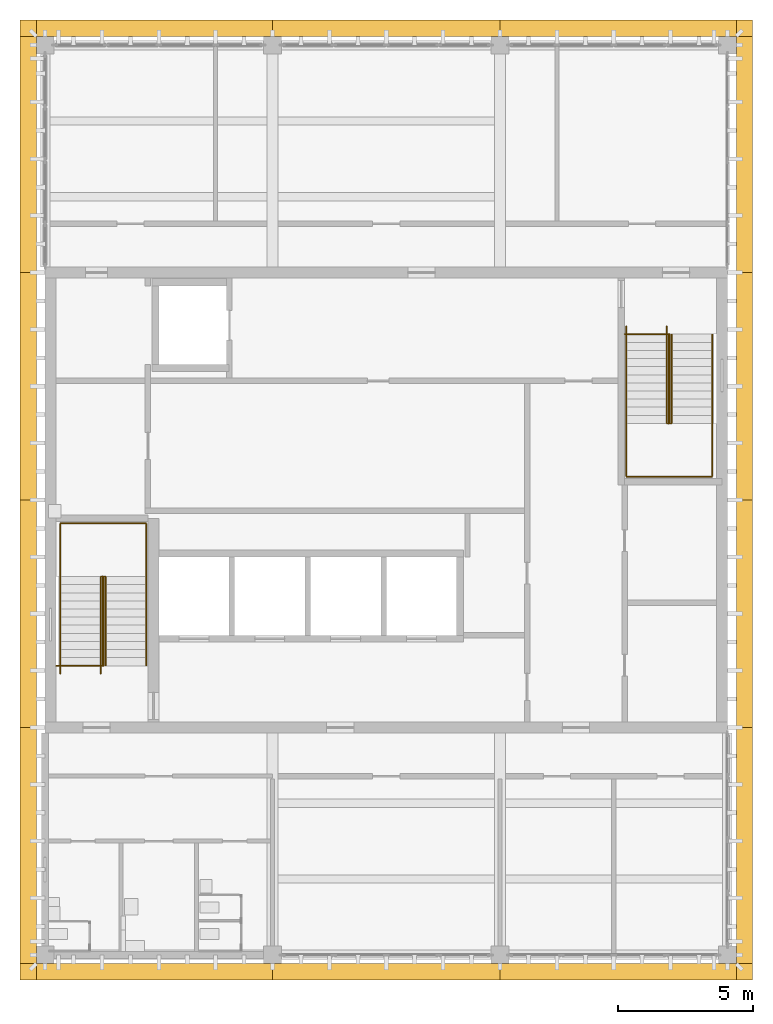
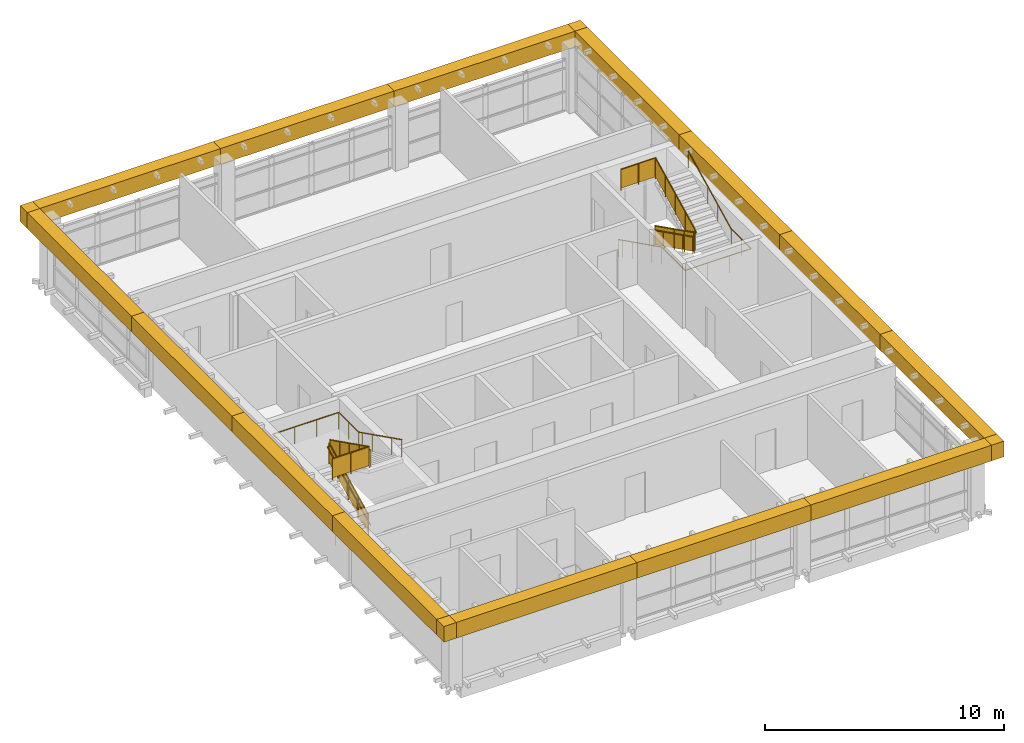
# One storey, part 9 of 10: 18 coverings, 8 railings.
"""IFC4 building model written with IfcOpenShell, lengths in metres."""

from ifc_helpers import new_model, si_unit, direction, frame, origin, origin_2d, place, context, subcontext, project, spatial, polyline, rectangle, circle, outline, extrude, material, type_object, element, save


model = new_model("IFC4")

# Units and contexts
model_context = context("Model", 3, precision=1e-05, world=origin(), true_north=direction((0.0, 1.0)))
body_context = subcontext(model_context, "Body", "Model", "MODEL_VIEW")
ifc_project = project(units=[si_unit("LENGTHUNIT", "METRE"), si_unit("AREAUNIT", "SQUARE_METRE"), si_unit("VOLUMEUNIT", "CUBIC_METRE"), si_unit("PLANEANGLEUNIT", "RADIAN"), si_unit("MASSUNIT", "GRAM", prefix="KILO")], contexts=[model_context])

# Site, building, storey
site_placement = place(None, origin())
site = spatial("IfcSite", under=ifc_project, at=site_placement, CompositionType="ELEMENT")
building_placement = place(site_placement, origin())
building = spatial("IfcBuilding", under=site, at=building_placement, Name="Rulbaag Community and Learning Centre", CompositionType="ELEMENT")
storey_placement = place(building_placement, frame((0.0, 0.0, 61.199951171875)))
storey = spatial("IfcBuildingStorey", under=building, at=storey_placement, Name="L16", CompositionType="ELEMENT", Elevation=61.199951171875)

# Coverings
ifc_material_1 = material(Name="Concrete M40", Category="concrete")
covering_type = type_object("IfcCoveringType", Name="DB-1", PredefinedType="CLADDING", material=ifc_material_1)
covering_1_placement = place(storey_placement, frame((146.83740234375, 83.375, 2.7998046875), z_axis=(0.0, 0.0, 1.0), x_axis=(1.0, 0.0, 0.0)))
element("IfcCovering", 1, at=covering_1_placement, inside=storey, type_object=covering_type, Name="Crown cap band", PredefinedType="CLADDING", context=body_context, shape_type="SweptSolid", body=[
    extrude(rectangle(XDim=8.72509765625, YDim=0.60009765625, at=origin_2d()), origin(), (0.0, 0.0, 1.0), 0.800048828125),
])
covering_2_placement = place(storey_placement, frame((155.39990234375, 83.375, 2.7998046875), z_axis=(0.0, 0.0, 1.0), x_axis=(1.0, 0.0, 0.0)))
element("IfcCovering", 2, at=covering_2_placement, inside=storey, type_object=covering_type, Name="Crown cap band", PredefinedType="CLADDING", context=body_context, shape_type="SweptSolid", body=[
    extrude(rectangle(XDim=8.39990234375, YDim=0.60009765625, at=origin_2d()), origin(), (0.0, 0.0, 1.0), 0.800048828125),
])
for number, where, z_axis, x_axis, name in (
    (3, (163.96240234375, 83.375, 2.7998046875), (0.0, 0.0, 1.0), (1.0, 0.0, 0.0), "Crown cap band"),
    (4, (146.83740234375, 118.22509765625, 2.7998046875), (0.0, 0.0, 1.0), (1.0, 0.0, 0.0), "Crown cap band"),
):
    element("IfcCovering", number, at=place(storey_placement, frame(where, z_axis=z_axis, x_axis=x_axis)), inside=storey, type_object=covering_type, Name=name, PredefinedType="CLADDING", context=body_context, shape_type="SweptSolid", body=[
        extrude(rectangle(XDim=8.72509765625, YDim=0.60009765625, at=origin_2d()), origin(), (0.0, 0.0, 1.0), 0.800048828125),
    ])
covering_3_placement = place(storey_placement, frame((155.39990234375, 118.22509765625, 2.7998046875), z_axis=(0.0, 0.0, 1.0), x_axis=(1.0, 0.0, 0.0)))
element("IfcCovering", 5, at=covering_3_placement, inside=storey, type_object=covering_type, Name="Crown cap band", PredefinedType="CLADDING", context=body_context, shape_type="SweptSolid", body=[
    extrude(rectangle(XDim=8.39990234375, YDim=0.60009765625, at=origin_2d()), origin(), (0.0, 0.0, 1.0), 0.800048828125),
])
covering_4_placement = place(storey_placement, frame((163.96240234375, 118.22509765625, 2.7998046875), z_axis=(0.0, 0.0, 1.0), x_axis=(1.0, 0.0, 0.0)))
element("IfcCovering", 6, at=covering_4_placement, inside=storey, type_object=covering_type, Name="Crown cap band", PredefinedType="CLADDING", context=body_context, shape_type="SweptSolid", body=[
    extrude(rectangle(XDim=8.72509765625, YDim=0.60009765625, at=origin_2d()), origin(), (0.0, 0.0, 1.0), 0.800048828125),
])
covering_5_placement = place(storey_placement, frame((142.175048828125, 88.03759765625, 2.7998046875), z_axis=(0.0, 0.0, 1.0), x_axis=(1.0, 0.0, 0.0)))
element("IfcCovering", 7, at=covering_5_placement, inside=storey, type_object=covering_type, Name="Crown cap band", PredefinedType="CLADDING", context=body_context, shape_type="SweptSolid", body=[
    extrude(rectangle(XDim=0.60009765625, YDim=8.72509765625, at=origin_2d()), origin(), (0.0, 0.0, 1.0), 0.800048828125),
])
for number, where, z_axis, x_axis, name in (
    (8, (142.175048828125, 96.60009765625, 2.7998046875), (0.0, 0.0, 1.0), (1.0, 0.0, 0.0), "Crown cap band"),
    (9, (142.175048828125, 105.0, 2.7998046875), (0.0, 0.0, 1.0), (1.0, 0.0, 0.0), "Crown cap band"),
):
    element("IfcCovering", number, at=place(storey_placement, frame(where, z_axis=z_axis, x_axis=x_axis)), inside=storey, type_object=covering_type, Name=name, PredefinedType="CLADDING", context=body_context, shape_type="SweptSolid", body=[
        extrude(rectangle(XDim=0.60009765625, YDim=8.39990234375, at=origin_2d()), origin(), (0.0, 0.0, 1.0), 0.800048828125),
    ])
for number, where, z_axis, x_axis, name in (
    (10, (142.175048828125, 113.5625, 2.7998046875), (0.0, 0.0, 1.0), (1.0, 0.0, 0.0), "Crown cap band"),
    (11, (168.625, 88.03759765625, 2.7998046875), (0.0, 0.0, 1.0), (1.0, 0.0, 0.0), "Crown cap band"),
):
    element("IfcCovering", number, at=place(storey_placement, frame(where, z_axis=z_axis, x_axis=x_axis)), inside=storey, type_object=covering_type, Name=name, PredefinedType="CLADDING", context=body_context, shape_type="SweptSolid", body=[
        extrude(rectangle(XDim=0.60009765625, YDim=8.72509765625, at=origin_2d()), origin(), (0.0, 0.0, 1.0), 0.800048828125),
    ])
for number, where, z_axis, x_axis, name in (
    (12, (168.625, 96.60009765625, 2.7998046875), (0.0, 0.0, 1.0), (1.0, 0.0, 0.0), "Crown cap band"),
    (13, (168.625, 105.0, 2.7998046875), (0.0, 0.0, 1.0), (1.0, 0.0, 0.0), "Crown cap band"),
):
    element("IfcCovering", number, at=place(storey_placement, frame(where, z_axis=z_axis, x_axis=x_axis)), inside=storey, type_object=covering_type, Name=name, PredefinedType="CLADDING", context=body_context, shape_type="SweptSolid", body=[
        extrude(rectangle(XDim=0.60009765625, YDim=8.39990234375, at=origin_2d()), origin(), (0.0, 0.0, 1.0), 0.800048828125),
    ])
covering_6_placement = place(storey_placement, frame((168.625, 113.5625, 2.7998046875), z_axis=(0.0, 0.0, 1.0), x_axis=(1.0, 0.0, 0.0)))
element("IfcCovering", 14, at=covering_6_placement, inside=storey, type_object=covering_type, Name="Crown cap band", PredefinedType="CLADDING", context=body_context, shape_type="SweptSolid", body=[
    extrude(rectangle(XDim=0.60009765625, YDim=8.72509765625, at=origin_2d()), origin(), (0.0, 0.0, 1.0), 0.800048828125),
])
for number, where, z_axis, x_axis, name in (
    (15, (142.175048828125, 83.375, 2.7998046875), (0.0, 0.0, 1.0), (1.0, 0.0, 0.0), "Crown cap band corner"),
    (16, (142.175048828125, 118.22509765625, 2.7998046875), (0.0, 0.0, 1.0), (1.0, 0.0, 0.0), "Crown cap band corner"),
    (17, (168.625, 83.375, 2.7998046875), (0.0, 0.0, 1.0), (1.0, 0.0, 0.0), "Crown cap band corner"),
    (18, (168.625, 118.22509765625, 2.7998046875), (0.0, 0.0, 1.0), (1.0, 0.0, 0.0), "Crown cap band corner"),
):
    element("IfcCovering", number, at=place(storey_placement, frame(where, z_axis=z_axis, x_axis=x_axis)), inside=storey, type_object=covering_type, Name=name, PredefinedType="CLADDING", context=body_context, shape_type="SweptSolid", body=[
        extrude(rectangle(XDim=0.60009765625, YDim=0.60009765625, at=origin_2d()), origin(), (0.0, 0.0, 1.0), 0.800048828125),
    ])

# Railings
ifc_material_2 = material(Name="Galvanised mild steel", Category="steel")
railing_type_1 = type_object("IfcRailingType", Name="GR-1100 GUARD 1100", PredefinedType="GUARDRAIL", material=ifc_material_2)
railing_1_placement = place(storey_placement, frame((144.929931640625, 94.675048828125, 0.150146484375)))
element("IfcRailing", 19, at=railing_1_placement, inside=storey, type_object=railing_type_1, Name="Guard ST1 L16 G", PredefinedType="GUARDRAIL", context=body_context, shape_type="SweptSolid", body=[
    extrude(circle(Radius=0.02490234375, at=origin_2d()), frame((0.0, 0.0, 1.0751953125), z_axis=(0.0, 0.894440424912, 0.447187126696), x_axis=(-1.0, 0.0, 0.0)), (0.0, 0.0, 1.0), 3.689453125),
    extrude(circle(Radius=0.02001953125, at=origin_2d()), origin(), (0.0, 0.0, 1.0), 1.050048828125),
    extrude(circle(Radius=0.02001953125, at=origin_2d()), frame((0.0, 0.824951171875, 0.41259765625)), (0.0, 0.0, 1.0), 1.050048828125),
    extrude(circle(Radius=0.02001953125, at=origin_2d()), frame((0.0, 1.64990234375, 0.824951171875)), (0.0, 0.0, 1.0), 1.050048828125),
    extrude(circle(Radius=0.02001953125, at=origin_2d()), frame((0.0, 2.47509765625, 1.2373046875)), (0.0, 0.0, 1.0), 1.050048828125),
    extrude(circle(Radius=0.02001953125, at=origin_2d()), frame((0.0, 3.300048828125, 1.64990234375)), (0.0, 0.0, 1.0), 1.050048828125),
    extrude(outline(polyline([(0.0, 0.0), (3.300048828125, 1.64990234375), (3.300048828125, 2.599853515625), (0.0, 0.949951171875), (0.0, 0.0)])), frame((-0.0048828125, 0.0, 0.10009765625), z_axis=(1.0, 0.0, 0.0), x_axis=(0.0, 1.0, 0.0)), (0.0, 0.0, 1.0), 0.010009765625),
])
railing_2_placement = place(storey_placement, frame((144.969970703125, 97.97509765625, 1.949951171875)))
element("IfcRailing", 20, at=railing_2_placement, inside=storey, type_object=railing_type_1, Name="Guard ST1 L16 G2", PredefinedType="GUARDRAIL", context=body_context, shape_type="SweptSolid", body=[
    extrude(circle(Radius=0.02490234375, at=origin_2d()), frame((0.0, 0.0, 1.0751953125), z_axis=(0.0, -0.894413956696, 0.447240063129), x_axis=(1.0, 0.0, 0.0)), (0.0, 0.0, 1.0), 3.689697265625),
    extrude(circle(Radius=0.02490234375, at=origin_2d()), frame((0.0, -3.300048828125, 2.72509765625), z_axis=(-1.0, 0.0, 0.0), x_axis=(0.0, -1.0, 0.0)), (0.0, 0.0, 1.0), 1.77001953125),
    extrude(circle(Radius=0.02001953125, at=origin_2d()), origin(), (0.0, 0.0, 1.0), 1.050048828125),
    extrude(circle(Radius=0.02001953125, at=origin_2d()), frame((0.0, -0.824951171875, 0.41259765625)), (0.0, 0.0, 1.0), 1.050048828125),
    extrude(circle(Radius=0.02001953125, at=origin_2d()), frame((0.0, -1.64990234375, 0.8251953125)), (0.0, 0.0, 1.0), 1.050048828125),
    extrude(circle(Radius=0.02001953125, at=origin_2d()), frame((0.0, -2.47509765625, 1.237548828125)), (0.0, 0.0, 1.0), 1.050048828125),
    extrude(circle(Radius=0.02001953125, at=origin_2d()), frame((0.0, -3.300048828125, 1.650146484375)), (0.0, 0.0, 1.0), 1.050048828125),
    extrude(circle(Radius=0.02001953125, at=origin_2d()), frame((-0.885009765625, -3.300048828125, 1.650146484375)), (0.0, 0.0, 1.0), 1.050048828125),
    extrude(circle(Radius=0.02001953125, at=origin_2d()), frame((-1.77001953125, -3.300048828125, 1.650146484375)), (0.0, 0.0, 1.0), 1.050048828125),
    extrude(outline(polyline([(0.0, 0.0), (3.300048828125, 1.650146484375), (3.300048828125, 2.60009765625), (0.0, 0.949951171875), (0.0, 0.0)])), frame((0.0048828125, 0.0, 0.10009765625), z_axis=(-1.0, 0.0, 0.0), x_axis=(0.0, -1.0, 0.0)), (0.0, 0.0, 1.0), 0.010009765625),
    extrude(outline(polyline([(0.0, 0.0), (1.77001953125, 0.0), (1.77001953125, 0.949951171875), (0.0, 0.949951171875), (0.0, 0.0)])), frame((0.0, -3.30517578125, 1.750244140625), z_axis=(0.0, 1.0, 0.0), x_axis=(-1.0, 0.0, 0.0)), (0.0, 0.0, 1.0), 0.010009765625),
])
railing_3_placement = place(storey_placement, frame((165.830078125, 106.925048828125, 0.150146484375)))
element("IfcRailing", 21, at=railing_3_placement, inside=storey, type_object=railing_type_1, Name="Guard ST2 L16 G", PredefinedType="GUARDRAIL", context=body_context, shape_type="SweptSolid", body=[
    extrude(circle(Radius=0.02490234375, at=origin_2d()), frame((0.0, 0.0, 1.0751953125), z_axis=(0.0, -0.894440424912, 0.447187126696), x_axis=(1.0, 0.0, 0.0)), (0.0, 0.0, 1.0), 3.689453125),
    extrude(circle(Radius=0.02001953125, at=origin_2d()), origin(), (0.0, 0.0, 1.0), 1.050048828125),
    extrude(circle(Radius=0.02001953125, at=origin_2d()), frame((0.0, -0.824951171875, 0.41259765625)), (0.0, 0.0, 1.0), 1.050048828125),
    extrude(circle(Radius=0.02001953125, at=origin_2d()), frame((0.0, -1.64990234375, 0.824951171875)), (0.0, 0.0, 1.0), 1.050048828125),
    extrude(circle(Radius=0.02001953125, at=origin_2d()), frame((0.0, -2.47509765625, 1.2373046875)), (0.0, 0.0, 1.0), 1.050048828125),
    extrude(circle(Radius=0.02001953125, at=origin_2d()), frame((0.0, -3.300048828125, 1.64990234375)), (0.0, 0.0, 1.0), 1.050048828125),
    extrude(outline(polyline([(0.0, 0.0), (3.300048828125, 1.64990234375), (3.300048828125, 2.599853515625), (0.0, 0.949951171875), (0.0, 0.0)])), frame((0.0048828125, 0.0, 0.10009765625), z_axis=(-1.0, 0.0, 0.0), x_axis=(0.0, -1.0, 0.0)), (0.0, 0.0, 1.0), 0.010009765625),
])
railing_4_placement = place(storey_placement, frame((165.8701171875, 103.625, 1.949951171875)))
element("IfcRailing", 22, at=railing_4_placement, inside=storey, type_object=railing_type_1, Name="Guard ST2 L16 G2", PredefinedType="GUARDRAIL", context=body_context, shape_type="SweptSolid", body=[
    extrude(circle(Radius=0.02490234375, at=origin_2d()), frame((0.0, 0.0, 1.0751953125), z_axis=(0.0, 0.894413956696, 0.447240063129), x_axis=(-1.0, 0.0, 0.0)), (0.0, 0.0, 1.0), 3.689697265625),
    extrude(circle(Radius=0.02490234375, at=origin_2d()), frame((0.0, 3.300048828125, 2.72509765625), z_axis=(-1.0, 0.0, 0.0), x_axis=(0.0, -1.0, 0.0)), (0.0, 0.0, 1.0), 1.670166015625),
    extrude(circle(Radius=0.02001953125, at=origin_2d()), origin(), (0.0, 0.0, 1.0), 1.050048828125),
    extrude(circle(Radius=0.02001953125, at=origin_2d()), frame((0.0, 0.824951171875, 0.41259765625)), (0.0, 0.0, 1.0), 1.050048828125),
    extrude(circle(Radius=0.02001953125, at=origin_2d()), frame((0.0, 1.64990234375, 0.8251953125)), (0.0, 0.0, 1.0), 1.050048828125),
    extrude(circle(Radius=0.02001953125, at=origin_2d()), frame((0.0, 2.47509765625, 1.237548828125)), (0.0, 0.0, 1.0), 1.050048828125),
    extrude(circle(Radius=0.02001953125, at=origin_2d()), frame((0.0, 3.300048828125, 1.650146484375)), (0.0, 0.0, 1.0), 1.050048828125),
    extrude(circle(Radius=0.02001953125, at=origin_2d()), frame((-0.8349609375, 3.300048828125, 1.650146484375)), (0.0, 0.0, 1.0), 1.050048828125),
    extrude(circle(Radius=0.02001953125, at=origin_2d()), frame((-1.670166015625, 3.300048828125, 1.650146484375)), (0.0, 0.0, 1.0), 1.050048828125),
    extrude(outline(polyline([(0.0, 0.0), (3.300048828125, 1.650146484375), (3.300048828125, 2.60009765625), (0.0, 0.949951171875), (0.0, 0.0)])), frame((-0.0048828125, 0.0, 0.10009765625), z_axis=(1.0, 0.0, 0.0), x_axis=(0.0, 1.0, 0.0)), (0.0, 0.0, 1.0), 0.010009765625),
    extrude(outline(polyline([(0.0, 0.0), (1.670166015625, 0.0), (1.670166015625, 0.949951171875), (0.0, 0.949951171875), (0.0, 0.0)])), frame((0.0, 3.294921875, 1.750244140625), z_axis=(0.0, 1.0, 0.0), x_axis=(-1.0, 0.0, 0.0)), (0.0, 0.0, 1.0), 0.010009765625),
])
ifc_material_3 = material(Name="Stainless steel grade 316", Category="steel")
railing_type_2 = type_object("IfcRailingType", Name="HR-900 HANDRAIL 900", PredefinedType="HANDRAIL", material=ifc_material_3)
railing_5_placement = place(storey_placement, frame((143.360107421875, 94.375, 0.0)))
element("IfcRailing", 23, at=railing_5_placement, inside=storey, type_object=railing_type_2, Name="Handrail ST1 L16 O", PredefinedType="HANDRAIL", context=body_context, shape_type="SweptSolid", body=[
    extrude(circle(Radius=0.024169921875, at=origin_2d()), frame((0.0, 0.0, 0.875732421875), z_axis=(0.0, 0.894281613681, 0.447504631744), x_axis=(-1.0, 0.0, 0.0)), (0.0, 0.0, 1.0), 0.33544921875),
    extrude(circle(Radius=0.024169921875, at=origin_2d()), frame((0.0, 0.300048828125, 1.02587890625), z_axis=(0.0, 0.894440424912, 0.447187126696), x_axis=(-1.0, 0.0, 0.0)), (0.0, 0.0, 1.0), 3.689453125),
    extrude(circle(Radius=0.024169921875, at=origin_2d()), frame((0.0, 3.60009765625, 2.67578125), z_axis=(0.0, 1.0, 0.0), x_axis=(-1.0, 0.0, 0.0)), (0.0, 0.0, 1.0), 1.96484375),
    extrude(circle(Radius=0.024169921875, at=origin_2d()), frame((0.0, 5.56494140625, 2.67578125), z_axis=(1.0, 0.0, 0.0), x_axis=(0.0, 1.0, 0.0)), (0.0, 0.0, 1.0), 3.179931640625),
    extrude(circle(Radius=0.024169921875, at=origin_2d()), frame((3.179931640625, 5.56494140625, 2.67578125), z_axis=(0.0, -1.0, 0.0), x_axis=(1.0, 0.0, 0.0)), (0.0, 0.0, 1.0), 1.6650390625),
    extrude(circle(Radius=0.024169921875, at=origin_2d()), frame((3.179931640625, 3.89990234375, 2.67578125), z_axis=(0.0, -0.894427191, 0.4472135955), x_axis=(1.0, 0.0, 0.0)), (0.0, 0.0, 1.0), 0.335205078125),
    extrude(circle(Radius=0.024169921875, at=origin_2d()), frame((3.179931640625, 3.60009765625, 2.82568359375), z_axis=(0.0, -0.894413956696, 0.447240063129), x_axis=(1.0, 0.0, 0.0)), (0.0, 0.0, 1.0), 3.689697265625),
    extrude(circle(Radius=0.008056640625, at=origin_2d()), origin(), (0.0, 0.0, 1.0), 0.8515625),
    extrude(circle(Radius=0.008056640625, at=origin_2d()), frame((0.0, 0.300048828125, 0.150146484375)), (0.0, 0.0, 1.0), 0.8515625),
    extrude(circle(Radius=0.008056640625, at=origin_2d()), frame((0.0, 1.125, 0.5625)), (0.0, 0.0, 1.0), 0.8515625),
    extrude(circle(Radius=0.008056640625, at=origin_2d()), frame((0.0, 1.9501953125, 0.97509765625)), (0.0, 0.0, 1.0), 0.8515625),
    extrude(circle(Radius=0.008056640625, at=origin_2d()), frame((0.0, 2.775146484375, 1.3876953125)), (0.0, 0.0, 1.0), 0.8515625),
    extrude(circle(Radius=0.008056640625, at=origin_2d()), frame((0.0, 3.60009765625, 1.800048828125)), (0.0, 0.0, 1.0), 0.8515625),
    extrude(circle(Radius=0.008056640625, at=origin_2d()), frame((0.0, 4.58251953125, 1.800048828125)), (0.0, 0.0, 1.0), 0.8515625),
    extrude(circle(Radius=0.008056640625, at=origin_2d()), frame((0.0, 5.56494140625, 1.800048828125)), (0.0, 0.0, 1.0), 0.8515625),
    extrude(circle(Radius=0.008056640625, at=origin_2d()), frame((1.06005859375, 5.56494140625, 1.800048828125)), (0.0, 0.0, 1.0), 0.8515625),
    extrude(circle(Radius=0.008056640625, at=origin_2d()), frame((2.119873046875, 5.56494140625, 1.800048828125)), (0.0, 0.0, 1.0), 0.8515625),
    extrude(circle(Radius=0.008056640625, at=origin_2d()), frame((3.179931640625, 5.56494140625, 1.800048828125)), (0.0, 0.0, 1.0), 0.8515625),
    extrude(circle(Radius=0.008056640625, at=origin_2d()), frame((3.179931640625, 4.732421875, 1.800048828125)), (0.0, 0.0, 1.0), 0.8515625),
    extrude(circle(Radius=0.008056640625, at=origin_2d()), frame((3.179931640625, 3.89990234375, 1.800048828125)), (0.0, 0.0, 1.0), 0.8515625),
    extrude(circle(Radius=0.008056640625, at=origin_2d()), frame((3.179931640625, 3.60009765625, 1.949951171875)), (0.0, 0.0, 1.0), 0.8515625),
    extrude(circle(Radius=0.008056640625, at=origin_2d()), frame((3.179931640625, 2.775146484375, 2.362548828125)), (0.0, 0.0, 1.0), 0.8515625),
    extrude(circle(Radius=0.008056640625, at=origin_2d()), frame((3.179931640625, 1.9501953125, 2.77490234375)), (0.0, 0.0, 1.0), 0.8515625),
    extrude(circle(Radius=0.008056640625, at=origin_2d()), frame((3.179931640625, 1.125, 3.1875)), (0.0, 0.0, 1.0), 0.8515625),
    extrude(circle(Radius=0.008056640625, at=origin_2d()), frame((3.179931640625, 0.300048828125, 3.60009765625)), (0.0, 0.0, 1.0), 0.8515625),
])
railing_6_placement = place(storey_placement, frame((144.860107421875, 94.375, 0.0)))
element("IfcRailing", 24, at=railing_6_placement, inside=storey, type_object=railing_type_2, Name="Handrail ST1 L16 I", PredefinedType="HANDRAIL", context=body_context, shape_type="SweptSolid", body=[
    extrude(circle(Radius=0.024169921875, at=origin_2d()), frame((0.0, 0.0, 0.875732421875), z_axis=(0.0, 0.894281613681, 0.447504631744), x_axis=(-1.0, 0.0, 0.0)), (0.0, 0.0, 1.0), 0.33544921875),
    extrude(circle(Radius=0.024169921875, at=origin_2d()), frame((0.0, 0.300048828125, 1.02587890625), z_axis=(0.0, 0.894440424912, 0.447187126696), x_axis=(-1.0, 0.0, 0.0)), (0.0, 0.0, 1.0), 3.689453125),
    extrude(circle(Radius=0.024169921875, at=origin_2d()), frame((0.0, 3.60009765625, 2.67578125), z_axis=(0.768306721819, 0.0, 0.640081855084), x_axis=(0.0, 1.0, 0.0)), (0.0, 0.0, 1.0), 0.234130859375),
    extrude(circle(Radius=0.024169921875, at=origin_2d()), frame((0.179931640625, 3.60009765625, 2.82568359375), z_axis=(0.0, -0.894413956696, 0.447240063129), x_axis=(1.0, 0.0, 0.0)), (0.0, 0.0, 1.0), 3.689697265625),
    extrude(circle(Radius=0.008056640625, at=origin_2d()), origin(), (0.0, 0.0, 1.0), 0.8515625),
    extrude(circle(Radius=0.008056640625, at=origin_2d()), frame((0.0, 0.300048828125, 0.150146484375)), (0.0, 0.0, 1.0), 0.8515625),
    extrude(circle(Radius=0.008056640625, at=origin_2d()), frame((0.0, 1.125, 0.5625)), (0.0, 0.0, 1.0), 0.8515625),
    extrude(circle(Radius=0.008056640625, at=origin_2d()), frame((0.0, 1.9501953125, 0.97509765625)), (0.0, 0.0, 1.0), 0.8515625),
    extrude(circle(Radius=0.008056640625, at=origin_2d()), frame((0.0, 2.775146484375, 1.3876953125)), (0.0, 0.0, 1.0), 0.8515625),
    extrude(circle(Radius=0.008056640625, at=origin_2d()), frame((0.0, 3.60009765625, 1.800048828125)), (0.0, 0.0, 1.0), 0.8515625),
    extrude(circle(Radius=0.008056640625, at=origin_2d()), frame((0.179931640625, 3.60009765625, 1.949951171875)), (0.0, 0.0, 1.0), 0.8515625),
    extrude(circle(Radius=0.008056640625, at=origin_2d()), frame((0.179931640625, 2.775146484375, 2.362548828125)), (0.0, 0.0, 1.0), 0.8515625),
    extrude(circle(Radius=0.008056640625, at=origin_2d()), frame((0.179931640625, 1.9501953125, 2.77490234375)), (0.0, 0.0, 1.0), 0.8515625),
    extrude(circle(Radius=0.008056640625, at=origin_2d()), frame((0.179931640625, 1.125, 3.1875)), (0.0, 0.0, 1.0), 0.8515625),
    extrude(circle(Radius=0.008056640625, at=origin_2d()), frame((0.179931640625, 0.300048828125, 3.60009765625)), (0.0, 0.0, 1.0), 0.8515625),
])
railing_7_placement = place(storey_placement, frame((164.260009765625, 107.22509765625, 0.0)))
element("IfcRailing", 25, at=railing_7_placement, inside=storey, type_object=railing_type_2, Name="Handrail ST2 L16 O", PredefinedType="HANDRAIL", context=body_context, shape_type="SweptSolid", body=[
    extrude(circle(Radius=0.024169921875, at=origin_2d()), frame((0.0, 0.0, 0.875732421875), z_axis=(0.0, -0.894281613681, 0.447504631744), x_axis=(1.0, 0.0, 0.0)), (0.0, 0.0, 1.0), 0.33544921875),
    extrude(circle(Radius=0.024169921875, at=origin_2d()), frame((0.0, -0.300048828125, 1.02587890625), z_axis=(0.0, -0.894440424912, 0.447187126696), x_axis=(1.0, 0.0, 0.0)), (0.0, 0.0, 1.0), 3.689453125),
    extrude(circle(Radius=0.024169921875, at=origin_2d()), frame((0.0, -3.60009765625, 2.67578125), z_axis=(0.0, -1.0, 0.0), x_axis=(1.0, 0.0, 0.0)), (0.0, 0.0, 1.0), 1.965087890625),
    extrude(circle(Radius=0.024169921875, at=origin_2d()), frame((0.0, -5.565185546875, 2.67578125), z_axis=(1.0, 0.0, 0.0), x_axis=(0.0, 1.0, 0.0)), (0.0, 0.0, 1.0), 3.179931640625),
    extrude(circle(Radius=0.024169921875, at=origin_2d()), frame((3.179931640625, -5.565185546875, 2.67578125), z_axis=(0.0, 1.0, 0.0), x_axis=(-1.0, 0.0, 0.0)), (0.0, 0.0, 1.0), 1.6650390625),
    extrude(circle(Radius=0.024169921875, at=origin_2d()), frame((3.179931640625, -3.900146484375, 2.67578125), z_axis=(0.0, 0.894572720946, 0.446922417137), x_axis=(-1.0, 0.0, 0.0)), (0.0, 0.0, 1.0), 0.33544921875),
    extrude(circle(Radius=0.024169921875, at=origin_2d()), frame((3.179931640625, -3.60009765625, 2.82568359375), z_axis=(0.0, 0.894413956696, 0.447240063129), x_axis=(-1.0, 0.0, 0.0)), (0.0, 0.0, 1.0), 3.689697265625),
    extrude(circle(Radius=0.008056640625, at=origin_2d()), origin(), (0.0, 0.0, 1.0), 0.8515625),
    extrude(circle(Radius=0.008056640625, at=origin_2d()), frame((0.0, -0.300048828125, 0.150146484375)), (0.0, 0.0, 1.0), 0.8515625),
    extrude(circle(Radius=0.008056640625, at=origin_2d()), frame((0.0, -1.125, 0.5625)), (0.0, 0.0, 1.0), 0.8515625),
    extrude(circle(Radius=0.008056640625, at=origin_2d()), frame((0.0, -1.9501953125, 0.97509765625)), (0.0, 0.0, 1.0), 0.8515625),
    extrude(circle(Radius=0.008056640625, at=origin_2d()), frame((0.0, -2.775146484375, 1.3876953125)), (0.0, 0.0, 1.0), 0.8515625),
    extrude(circle(Radius=0.008056640625, at=origin_2d()), frame((0.0, -3.60009765625, 1.800048828125)), (0.0, 0.0, 1.0), 0.8515625),
    extrude(circle(Radius=0.008056640625, at=origin_2d()), frame((0.0, -4.58251953125, 1.800048828125)), (0.0, 0.0, 1.0), 0.8515625),
    extrude(circle(Radius=0.008056640625, at=origin_2d()), frame((0.0, -5.565185546875, 1.800048828125)), (0.0, 0.0, 1.0), 0.8515625),
    extrude(circle(Radius=0.008056640625, at=origin_2d()), frame((1.06005859375, -5.565185546875, 1.800048828125)), (0.0, 0.0, 1.0), 0.8515625),
    extrude(circle(Radius=0.008056640625, at=origin_2d()), frame((2.119873046875, -5.565185546875, 1.800048828125)), (0.0, 0.0, 1.0), 0.8515625),
    extrude(circle(Radius=0.008056640625, at=origin_2d()), frame((3.179931640625, -5.565185546875, 1.800048828125)), (0.0, 0.0, 1.0), 0.8515625),
    extrude(circle(Radius=0.008056640625, at=origin_2d()), frame((3.179931640625, -4.732666015625, 1.800048828125)), (0.0, 0.0, 1.0), 0.8515625),
    extrude(circle(Radius=0.008056640625, at=origin_2d()), frame((3.179931640625, -3.900146484375, 1.800048828125)), (0.0, 0.0, 1.0), 0.8515625),
    extrude(circle(Radius=0.008056640625, at=origin_2d()), frame((3.179931640625, -3.60009765625, 1.949951171875)), (0.0, 0.0, 1.0), 0.8515625),
    extrude(circle(Radius=0.008056640625, at=origin_2d()), frame((3.179931640625, -2.775146484375, 2.362548828125)), (0.0, 0.0, 1.0), 0.8515625),
    extrude(circle(Radius=0.008056640625, at=origin_2d()), frame((3.179931640625, -1.9501953125, 2.77490234375)), (0.0, 0.0, 1.0), 0.8515625),
    extrude(circle(Radius=0.008056640625, at=origin_2d()), frame((3.179931640625, -1.125, 3.1875)), (0.0, 0.0, 1.0), 0.8515625),
    extrude(circle(Radius=0.008056640625, at=origin_2d()), frame((3.179931640625, -0.300048828125, 3.60009765625)), (0.0, 0.0, 1.0), 0.8515625),
])
railing_8_placement = place(storey_placement, frame((165.760009765625, 107.22509765625, 0.0)))
element("IfcRailing", 26, at=railing_8_placement, inside=storey, type_object=railing_type_2, Name="Handrail ST2 L16 I", PredefinedType="HANDRAIL", context=body_context, shape_type="SweptSolid", body=[
    extrude(circle(Radius=0.024169921875, at=origin_2d()), frame((0.0, 0.0, 0.875732421875), z_axis=(0.0, -0.894281613681, 0.447504631744), x_axis=(1.0, 0.0, 0.0)), (0.0, 0.0, 1.0), 0.33544921875),
    extrude(circle(Radius=0.024169921875, at=origin_2d()), frame((0.0, -0.300048828125, 1.02587890625), z_axis=(0.0, -0.894440424912, 0.447187126696), x_axis=(1.0, 0.0, 0.0)), (0.0, 0.0, 1.0), 3.689453125),
    extrude(circle(Radius=0.024169921875, at=origin_2d()), frame((0.0, -3.60009765625, 2.67578125), z_axis=(0.768306721819, 0.0, 0.640081855084), x_axis=(0.0, 1.0, 0.0)), (0.0, 0.0, 1.0), 0.234130859375),
    extrude(circle(Radius=0.024169921875, at=origin_2d()), frame((0.179931640625, -3.60009765625, 2.82568359375), z_axis=(0.0, 0.894413956696, 0.447240063129), x_axis=(-1.0, 0.0, 0.0)), (0.0, 0.0, 1.0), 3.689697265625),
    extrude(circle(Radius=0.008056640625, at=origin_2d()), origin(), (0.0, 0.0, 1.0), 0.8515625),
    extrude(circle(Radius=0.008056640625, at=origin_2d()), frame((0.0, -0.300048828125, 0.150146484375)), (0.0, 0.0, 1.0), 0.8515625),
    extrude(circle(Radius=0.008056640625, at=origin_2d()), frame((0.0, -1.125, 0.5625)), (0.0, 0.0, 1.0), 0.8515625),
    extrude(circle(Radius=0.008056640625, at=origin_2d()), frame((0.0, -1.9501953125, 0.97509765625)), (0.0, 0.0, 1.0), 0.8515625),
    extrude(circle(Radius=0.008056640625, at=origin_2d()), frame((0.0, -2.775146484375, 1.3876953125)), (0.0, 0.0, 1.0), 0.8515625),
    extrude(circle(Radius=0.008056640625, at=origin_2d()), frame((0.0, -3.60009765625, 1.800048828125)), (0.0, 0.0, 1.0), 0.8515625),
    extrude(circle(Radius=0.008056640625, at=origin_2d()), frame((0.179931640625, -3.60009765625, 1.949951171875)), (0.0, 0.0, 1.0), 0.8515625),
    extrude(circle(Radius=0.008056640625, at=origin_2d()), frame((0.179931640625, -2.775146484375, 2.362548828125)), (0.0, 0.0, 1.0), 0.8515625),
    extrude(circle(Radius=0.008056640625, at=origin_2d()), frame((0.179931640625, -1.9501953125, 2.77490234375)), (0.0, 0.0, 1.0), 0.8515625),
    extrude(circle(Radius=0.008056640625, at=origin_2d()), frame((0.179931640625, -1.125, 3.1875)), (0.0, 0.0, 1.0), 0.8515625),
    extrude(circle(Radius=0.008056640625, at=origin_2d()), frame((0.179931640625, -0.300048828125, 3.60009765625)), (0.0, 0.0, 1.0), 0.8515625),
])

save(model, "model.ifc")
